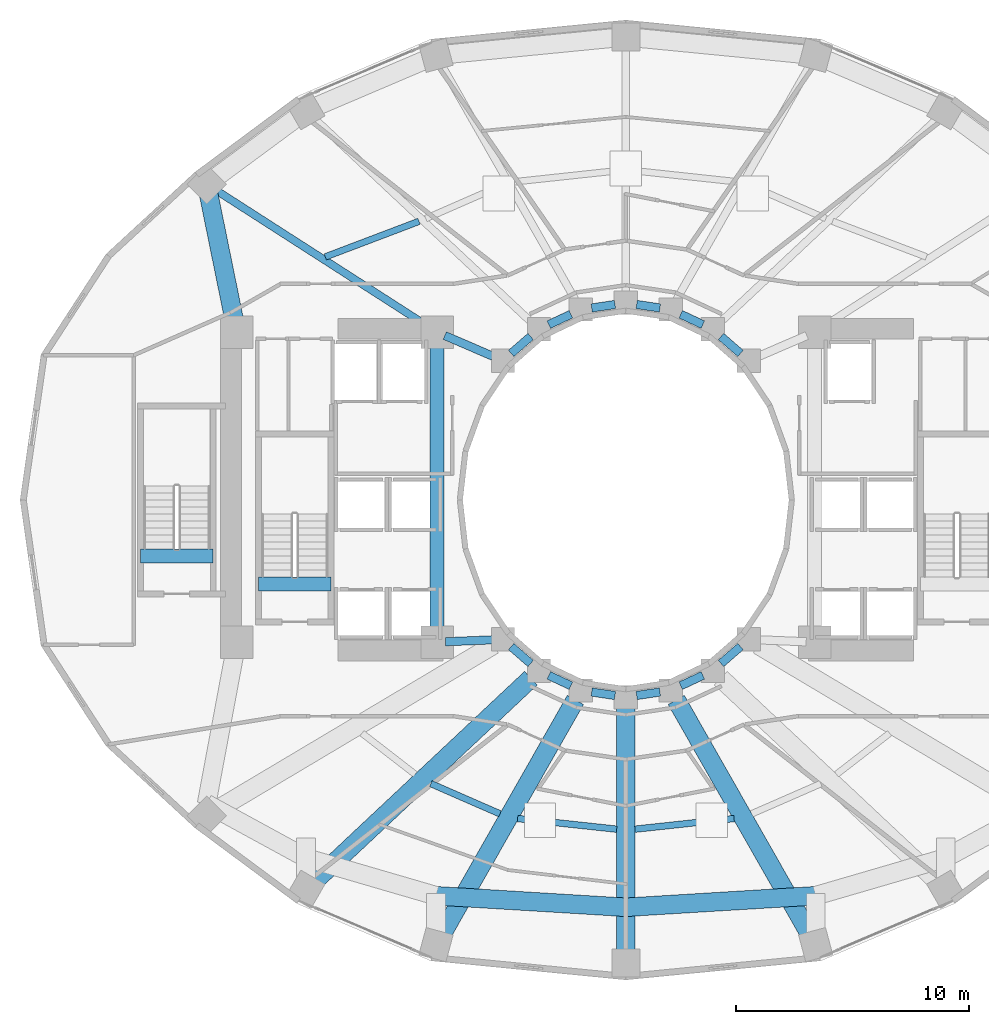
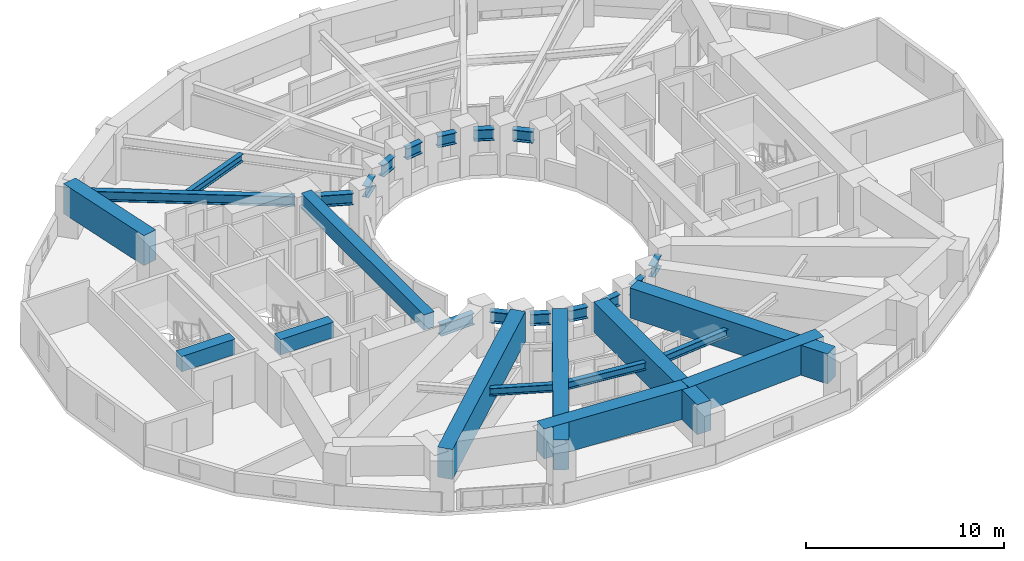
# One storey, part 3 of 16: 29 beams.
"""IFC4 building model written with IfcOpenShell, lengths in metres."""

from ifc_helpers import new_model, si_unit, direction, frame, origin, origin_2d, place, context, subcontext, project, spatial, rectangle, i_section, extrude, material, material_profile, profile_set, type_object, element, save


model = new_model("IFC4")

# Units and contexts
model_context = context("Model", 3, precision=1e-05, world=origin(), true_north=direction((0.0, 1.0)))
body_context = subcontext(model_context, "Body", "Model", "MODEL_VIEW")
ifc_project = project(units=[si_unit("LENGTHUNIT", "METRE"), si_unit("AREAUNIT", "SQUARE_METRE"), si_unit("VOLUMEUNIT", "CUBIC_METRE"), si_unit("PLANEANGLEUNIT", "RADIAN"), si_unit("MASSUNIT", "GRAM", prefix="KILO")], contexts=[model_context])

# Site, building, storey
site_placement = place(None, origin())
site = spatial("IfcSite", under=ifc_project, at=site_placement, CompositionType="ELEMENT")
building_placement = place(site_placement, origin())
building = spatial("IfcBuilding", under=site, at=building_placement, Name="Solvane Sanctuary Tower", CompositionType="ELEMENT")
storey_placement = place(building_placement, frame((0.0, 0.0, 33.800048828125)))
storey = spatial("IfcBuildingStorey", under=building, at=storey_placement, Name="L09", CompositionType="ELEMENT", Elevation=33.800048828125)

# Beams
ifc_material_1 = material(Name="Concrete C70/85", Category="concrete")
ifc_material_profile_1 = material_profile(ifc_material_1, rectangle(XDim=0.60009765625, YDim=0.949951171875, at=origin_2d()), Name="RC600X950")
ifc_profile_set_1 = profile_set([ifc_material_profile_1], Name="Concrete C70/85")
beam_type_1 = type_object("IfcBeamType", Name="Beam B-COUPLE RC600X950", PredefinedType="LINTEL", material=ifc_profile_set_1)
beam_1_placement = place(storey_placement, frame((23.89990234375, 17.35009765625, 2.625), z_axis=(0.0, 1.0, 0.0), x_axis=(-1.0, 0.0, 0.0)))
element("IfcBeam", 1, at=beam_1_placement, inside=storey, type_object=beam_type_1, Name="L09 West Core Coupling Lintel", PredefinedType="LINTEL", context=body_context, shape_type="SweptSolid", body=[
    extrude(rectangle(XDim=0.60009765625, YDim=0.949951171875, at=origin_2d()), origin(), (0.0, 0.0, 1.0), 12.39990234375),
])
for number, where, z_axis, x_axis, name in (
    (2, (16.22998046875, 19.399169921875, 2.625), (1.0, 0.0, 0.0), (0.0, 1.0, 0.0), "L09 ST-1 Stair Floor Landing Trimmer"),
    (3, (11.169921875, 20.59912109375, 2.625), (1.0, 0.0, 0.0), (0.0, 1.0, 0.0), "L09 ST-3 Stair Floor Landing Trimmer"),
):
    element("IfcBeam", number, at=place(storey_placement, frame(where, z_axis=z_axis, x_axis=x_axis)), inside=storey, type_object=beam_type_1, Name=name, PredefinedType="LINTEL", context=body_context, shape_type="SweptSolid", body=[
        extrude(rectangle(XDim=0.60009765625, YDim=0.949951171875, at=origin_2d()), origin(), (0.0, 0.0, 1.0), 3.1201171875),
    ])
ifc_material_2 = material(Name="Steel ASTM A992 Grade 50", Category="steel")
ifc_material_profile_2 = material_profile(ifc_material_2, i_section(OverallWidth=0.323974609375, OverallDepth=0.611083984375, WebThickness=0.0126953125, FlangeThickness=0.01904296875, FilletRadius=0.01611328125, at=origin_2d()), Name="W24X104")
ifc_profile_set_2 = profile_set([ifc_material_profile_2], Name="Steel ASTM A992 Grade 50")
beam_type_2 = type_object("IfcBeamType", Name="Beam B-RAD-Z1 W24X104", PredefinedType="BEAM", material=ifc_profile_set_2)
beam_2_placement = place(storey_placement, frame((23.59716796875, 30.39453125, 2.29248046875), z_axis=(-0.841383207998, 0.540438985733, 0.0), x_axis=(-0.540438985733, -0.841383207998, 0.0)))
element("IfcBeam", 4, at=beam_2_placement, inside=storey, type_object=beam_type_2, Name="L09 Radial Composite Floor Beam 07", PredefinedType="BEAM", context=body_context, shape_type="SweptSolid", body=[
    extrude(i_section(OverallWidth=0.323974609375, OverallDepth=0.611083984375, WebThickness=0.0126953125, FlangeThickness=0.01904296875, FilletRadius=0.01611328125, at=origin_2d()), origin(), (0.0, 0.0, 1.0), 11.116455078125),
])
ifc_material_profile_3 = material_profile(ifc_material_2, i_section(OverallWidth=0.35498046875, OverallDepth=0.695068359375, WebThickness=0.015380859375, FlangeThickness=0.02490234375, FilletRadius=0.01806640625, at=origin_2d()), Name="W27X146")
ifc_profile_set_3 = profile_set([ifc_material_profile_3], Name="Steel ASTM A992 Grade 50")
beam_type_3 = type_object("IfcBeamType", Name="Beam B-RING-IN1 W27X146", PredefinedType="BEAM", material=ifc_profile_set_3)
beam_3_placement = place(storey_placement, frame((24.230712890625, 30.0576171875, 2.25048828125), z_axis=(0.918277080365, -0.395938383687, 0.0), x_axis=(0.395938383687, 0.918277080365, 0.0)))
element("IfcBeam", 5, at=beam_3_placement, inside=storey, type_object=beam_type_3, Name="L09 Inner Light-Well Ring Beam CW3-IC07", PredefinedType="BEAM", context=body_context, shape_type="SweptSolid", body=[
    extrude(i_section(OverallWidth=0.35498046875, OverallDepth=0.695068359375, WebThickness=0.015380859375, FlangeThickness=0.02490234375, FilletRadius=0.01806640625, at=origin_2d()), origin(), (0.0, 0.0, 1.0), 2.246337890625),
])
beam_4_placement = place(storey_placement, frame((27.07958984375, 29.29052734375, 2.25048828125), z_axis=(0.754320881993, 0.65650590781, 0.0), x_axis=(-0.65650590781, 0.754320881993, 0.0)))
element("IfcBeam", 6, at=beam_4_placement, inside=storey, type_object=beam_type_3, Name="L09 Inner Light-Well Ring Beam IC07-IC06", PredefinedType="BEAM", context=body_context, shape_type="SweptSolid", body=[
    extrude(i_section(OverallWidth=0.35498046875, OverallDepth=0.695068359375, WebThickness=0.015380859375, FlangeThickness=0.02490234375, FilletRadius=0.01806640625, at=origin_2d()), origin(), (0.0, 0.0, 1.0), 1.108154296875),
])
beam_5_placement = place(storey_placement, frame((28.6953125, 30.5263671875, 2.25048828125), z_axis=(0.905108885866, 0.42517984986, 0.0), x_axis=(-0.42517984986, 0.905108885866, 0.0)))
element("IfcBeam", 7, at=beam_5_placement, inside=storey, type_object=beam_type_3, Name="L09 Inner Light-Well Ring Beam IC06-IC05", PredefinedType="BEAM", context=body_context, shape_type="SweptSolid", body=[
    extrude(i_section(OverallWidth=0.35498046875, OverallDepth=0.695068359375, WebThickness=0.015380859375, FlangeThickness=0.02490234375, FilletRadius=0.01806640625, at=origin_2d()), origin(), (0.0, 0.0, 1.0), 1.0478515625),
])
for number, where, z_axis, x_axis, name in (
    (8, (30.533935546875, 31.2412109375, 2.25048828125), (0.989047520133, 0.147597435338, 0.0), (-0.147597435338, 0.989047520133, 0.0), "L09 Inner Light-Well Ring Beam IC05-IC04"),
    (9, (32.46484375, 31.390625, 2.25048828125), (0.989047520133, -0.147597435338, 0.0), (0.147597435338, 0.989047520133, 0.0), "L09 Inner Light-Well Ring Beam IC04-IC03"),
):
    element("IfcBeam", number, at=place(storey_placement, frame(where, z_axis=z_axis, x_axis=x_axis)), inside=storey, type_object=beam_type_3, Name=name, PredefinedType="BEAM", context=body_context, shape_type="SweptSolid", body=[
        extrude(i_section(OverallWidth=0.35498046875, OverallDepth=0.695068359375, WebThickness=0.015380859375, FlangeThickness=0.02490234375, FilletRadius=0.01806640625, at=origin_2d()), origin(), (0.0, 0.0, 1.0), 1.01220703125),
    ])
beam_6_placement = place(storey_placement, frame((34.356201171875, 30.971923828125, 2.25048828125), z_axis=(0.905108885866, -0.42517984986, 0.0), x_axis=(0.42517984986, 0.905108885866, 0.0)))
element("IfcBeam", 10, at=beam_6_placement, inside=storey, type_object=beam_type_3, Name="L09 Inner Light-Well Ring Beam IC03-IC02", PredefinedType="BEAM", context=body_context, shape_type="SweptSolid", body=[
    extrude(i_section(OverallWidth=0.35498046875, OverallDepth=0.695068359375, WebThickness=0.015380859375, FlangeThickness=0.02490234375, FilletRadius=0.01806640625, at=origin_2d()), origin(), (0.0, 0.0, 1.0), 1.0478515625),
])
beam_7_placement = place(storey_placement, frame((36.08447265625, 30.01806640625, 2.25048828125), z_axis=(0.754320881993, -0.65650590781, 0.0), x_axis=(0.65650590781, 0.754320881993, 0.0)))
element("IfcBeam", 11, at=beam_7_placement, inside=storey, type_object=beam_type_3, Name="L09 Inner Light-Well Ring Beam IC02-IC01", PredefinedType="BEAM", context=body_context, shape_type="SweptSolid", body=[
    extrude(i_section(OverallWidth=0.35498046875, OverallDepth=0.695068359375, WebThickness=0.015380859375, FlangeThickness=0.02490234375, FilletRadius=0.01806640625, at=origin_2d()), origin(), (0.0, 0.0, 1.0), 1.108154296875),
])
beam_8_placement = place(storey_placement, frame((24.259765625, 16.9150390625, 2.25048828125), z_axis=(0.999130953379, 0.041681386726, 0.0), x_axis=(-0.041681386726, 0.999130953379, 0.0)))
element("IfcBeam", 12, at=beam_8_placement, inside=storey, type_object=beam_type_3, Name="L09 Inner Light-Well Ring Beam CW2-IC08", PredefinedType="BEAM", context=body_context, shape_type="SweptSolid", body=[
    extrude(i_section(OverallWidth=0.35498046875, OverallDepth=0.695068359375, WebThickness=0.015380859375, FlangeThickness=0.02490234375, FilletRadius=0.01806640625, at=origin_2d()), origin(), (0.0, 0.0, 1.0), 1.997314453125),
])
beam_9_placement = place(storey_placement, frame((27.07958984375, 16.70947265625, 2.25048828125), z_axis=(0.754320881993, -0.65650590781, 0.0), x_axis=(0.65650590781, 0.754320881993, 0.0)))
element("IfcBeam", 13, at=beam_9_placement, inside=storey, type_object=beam_type_3, Name="L09 Inner Light-Well Ring Beam IC08-IC09", PredefinedType="BEAM", context=body_context, shape_type="SweptSolid", body=[
    extrude(i_section(OverallWidth=0.35498046875, OverallDepth=0.695068359375, WebThickness=0.015380859375, FlangeThickness=0.02490234375, FilletRadius=0.01806640625, at=origin_2d()), origin(), (0.0, 0.0, 1.0), 1.108154296875),
])
beam_10_placement = place(storey_placement, frame((28.6953125, 15.4736328125, 2.25048828125), z_axis=(0.905108885866, -0.42517984986, 0.0), x_axis=(0.42517984986, 0.905108885866, 0.0)))
element("IfcBeam", 14, at=beam_10_placement, inside=storey, type_object=beam_type_3, Name="L09 Inner Light-Well Ring Beam IC09-IC10", PredefinedType="BEAM", context=body_context, shape_type="SweptSolid", body=[
    extrude(i_section(OverallWidth=0.35498046875, OverallDepth=0.695068359375, WebThickness=0.015380859375, FlangeThickness=0.02490234375, FilletRadius=0.01806640625, at=origin_2d()), origin(), (0.0, 0.0, 1.0), 1.0478515625),
])
for number, where, z_axis, x_axis, name in (
    (15, (30.533935546875, 14.7587890625, 2.25048828125), (0.989047520133, -0.147597435338, 0.0), (0.147597435338, 0.989047520133, 0.0), "L09 Inner Light-Well Ring Beam IC10-IC11"),
    (16, (32.46484375, 14.609375, 2.25048828125), (0.989047520133, 0.147597435338, 0.0), (-0.147597435338, 0.989047520133, 0.0), "L09 Inner Light-Well Ring Beam IC11-IC12"),
):
    element("IfcBeam", number, at=place(storey_placement, frame(where, z_axis=z_axis, x_axis=x_axis)), inside=storey, type_object=beam_type_3, Name=name, PredefinedType="BEAM", context=body_context, shape_type="SweptSolid", body=[
        extrude(i_section(OverallWidth=0.35498046875, OverallDepth=0.695068359375, WebThickness=0.015380859375, FlangeThickness=0.02490234375, FilletRadius=0.01806640625, at=origin_2d()), origin(), (0.0, 0.0, 1.0), 1.01220703125),
    ])
beam_11_placement = place(storey_placement, frame((34.356201171875, 15.028076171875, 2.25048828125), z_axis=(0.905108885866, 0.42517984986, 0.0), x_axis=(-0.42517984986, 0.905108885866, 0.0)))
element("IfcBeam", 17, at=beam_11_placement, inside=storey, type_object=beam_type_3, Name="L09 Inner Light-Well Ring Beam IC12-IC13", PredefinedType="BEAM", context=body_context, shape_type="SweptSolid", body=[
    extrude(i_section(OverallWidth=0.35498046875, OverallDepth=0.695068359375, WebThickness=0.015380859375, FlangeThickness=0.02490234375, FilletRadius=0.01806640625, at=origin_2d()), origin(), (0.0, 0.0, 1.0), 1.0478515625),
])
beam_12_placement = place(storey_placement, frame((36.08447265625, 15.98193359375, 2.25048828125), z_axis=(0.754320881993, 0.65650590781, 0.0), x_axis=(-0.65650590781, 0.754320881993, 0.0)))
element("IfcBeam", 18, at=beam_12_placement, inside=storey, type_object=beam_type_3, Name="L09 Inner Light-Well Ring Beam IC13-IC14", PredefinedType="BEAM", context=body_context, shape_type="SweptSolid", body=[
    extrude(i_section(OverallWidth=0.35498046875, OverallDepth=0.695068359375, WebThickness=0.015380859375, FlangeThickness=0.02490234375, FilletRadius=0.01806640625, at=origin_2d()), origin(), (0.0, 0.0, 1.0), 1.108154296875),
])
ifc_material_profile_4 = material_profile(ifc_material_2, i_section(OverallWidth=0.280029296875, OverallDepth=0.462890625, WebThickness=0.0107421875, FlangeThickness=0.017333984375, FilletRadius=0.013916015625, at=origin_2d()), Name="W18X76")
ifc_profile_set_4 = profile_set([ifc_material_profile_4], Name="Steel ASTM A992 Grade 50")
beam_type_4 = type_object("IfcBeamType", Name="Beam B-SEC-JOIST W18X76", PredefinedType="JOIST", material=ifc_profile_set_4)
beam_13_placement = place(storey_placement, frame((19.100830078125, 33.4326171875, 2.366455078125), z_axis=(0.934930049376, 0.354832076867, 0.0), x_axis=(-0.354832076867, 0.934930049376, 0.0)))
element("IfcBeam", 19, at=beam_13_placement, inside=storey, type_object=beam_type_4, Name="L09 Secondary Circumferential Joist 07-06", PredefinedType="JOIST", context=body_context, shape_type="SweptSolid", body=[
    extrude(i_section(OverallWidth=0.280029296875, OverallDepth=0.462890625, WebThickness=0.0107421875, FlangeThickness=0.017333984375, FilletRadius=0.013916015625, at=origin_2d()), origin(), (0.0, 0.0, 1.0), 4.3037109375),
])
beam_14_placement = place(storey_placement, frame((23.63330078125, 10.82666015625, 2.366455078125), z_axis=(0.916364894528, -0.400344077111, 0.0), x_axis=(0.400344077111, 0.916364894528, 0.0)))
element("IfcBeam", 20, at=beam_14_placement, inside=storey, type_object=beam_type_4, Name="L09 Secondary Circumferential Joist 09-10", PredefinedType="JOIST", context=body_context, shape_type="SweptSolid", body=[
    extrude(i_section(OverallWidth=0.280029296875, OverallDepth=0.462890625, WebThickness=0.0107421875, FlangeThickness=0.017333984375, FilletRadius=0.013916015625, at=origin_2d()), origin(), (0.0, 0.0, 1.0), 3.237548828125),
])
for number, where, z_axis, x_axis, name in (
    (21, (27.35498046875, 9.330078125, 2.366455078125), (0.994255907242, -0.107028925599, 0.0), (0.107028925599, 0.994255907242, 0.0), "L09 Secondary Circumferential Joist 10-11"),
    (22, (32.392578125, 8.872314453125, 2.366455078125), (0.994255907242, 0.107028925599, 0.0), (-0.107028925599, 0.994255907242, 0.0), "L09 Secondary Circumferential Joist 11-12"),
):
    element("IfcBeam", number, at=place(storey_placement, frame(where, z_axis=z_axis, x_axis=x_axis)), inside=storey, type_object=beam_type_4, Name=name, PredefinedType="JOIST", context=body_context, shape_type="SweptSolid", body=[
        extrude(i_section(OverallWidth=0.280029296875, OverallDepth=0.462890625, WebThickness=0.0107421875, FlangeThickness=0.017333984375, FilletRadius=0.013916015625, at=origin_2d()), origin(), (0.0, 0.0, 1.0), 4.277099609375),
    ])
ifc_material_profile_5 = material_profile(ifc_material_1, rectangle(XDim=0.800048828125, YDim=1.85009765625, at=origin_2d()), Name="RC800X1850")
ifc_profile_set_5 = profile_set([ifc_material_profile_5], Name="Concrete C70/85")
beam_type_5 = type_object("IfcBeamType", Name="Beam B-XFER-BLK RC800X1850", PredefinedType="BEAM", material=ifc_profile_set_5)
beam_15_placement = place(storey_placement, frame((27.92724609375, 15.351806640625, 2.175048828125), z_axis=(-0.729350984505, -0.684139708979, 0.0), x_axis=(0.684139708979, -0.729350984505, 0.0)))
element("IfcBeam", 23, at=beam_15_placement, inside=storey, type_object=beam_type_5, Name="L09 Block-Shift Radial Transfer Girder 09A", PredefinedType="BEAM", context=body_context, shape_type="SweptSolid", body=[
    extrude(rectangle(XDim=0.800048828125, YDim=1.85009765625, at=origin_2d()), origin(), (0.0, 0.0, 1.0), 12.717041015625),
])
beam_16_placement = place(storey_placement, frame((29.836669921875, 14.419921875, 2.175048828125), z_axis=(-0.494867837588, -0.868968252194, 0.0), x_axis=(0.868968252194, -0.494867837588, 0.0)))
element("IfcBeam", 24, at=beam_16_placement, inside=storey, type_object=beam_type_5, Name="L09 Block-Shift Radial Transfer Girder 10A", PredefinedType="BEAM", context=body_context, shape_type="SweptSolid", body=[
    extrude(rectangle(XDim=0.800048828125, YDim=1.85009765625, at=origin_2d()), origin(), (0.0, 0.0, 1.0), 11.5673828125),
])
beam_17_placement = place(storey_placement, frame((32.0, 14.070068359375, 2.175048828125), z_axis=(0.0, -1.0, 0.0), x_axis=(1.0, 0.0, 0.0)))
element("IfcBeam", 25, at=beam_17_placement, inside=storey, type_object=beam_type_5, Name="L09 Block-Shift Radial Transfer Girder 11A", PredefinedType="BEAM", context=body_context, shape_type="SweptSolid", body=[
    extrude(rectangle(XDim=0.800048828125, YDim=1.85009765625, at=origin_2d()), origin(), (0.0, 0.0, 1.0), 10.469970703125),
])
beam_18_placement = place(storey_placement, frame((34.163330078125, 14.419921875, 2.175048828125), z_axis=(0.494867837588, -0.868968252194, 0.0), x_axis=(0.868968252194, 0.494867837588, 0.0)))
element("IfcBeam", 26, at=beam_18_placement, inside=storey, type_object=beam_type_5, Name="L09 Block-Shift Radial Transfer Girder 12A", PredefinedType="BEAM", context=body_context, shape_type="SweptSolid", body=[
    extrude(rectangle(XDim=0.800048828125, YDim=1.85009765625, at=origin_2d()), origin(), (0.0, 0.0, 1.0), 11.5673828125),
])
beam_19_placement = place(storey_placement, frame((15.228271484375, 30.552734375, 2.175048828125), z_axis=(-0.199220253501, 0.979954739054, 0.0), x_axis=(-0.979954739054, -0.199220253501, 0.0)))
element("IfcBeam", 27, at=beam_19_placement, inside=storey, type_object=beam_type_5, Name="L09 Perimeter Step Transfer Ring CW4-NTC07", PredefinedType="BEAM", context=body_context, shape_type="SweptSolid", body=[
    extrude(rectangle(XDim=0.800048828125, YDim=1.85009765625, at=origin_2d()), origin(), (0.0, 0.0, 1.0), 6.123779296875),
])
for number, where, z_axis, x_axis, name in (
    (28, (23.85498046875, 6.014404296875, 2.175048828125), (0.998162963029, -0.06058629579, 0.0), (0.06058629579, 0.998162963029, 0.0), "L09 Perimeter Step Transfer Ring NTC10-NTC11"),
    (29, (32.0, 5.52001953125, 2.175048828125), (0.998162963029, 0.06058629579, 0.0), (-0.06058629579, 0.998162963029, 0.0), "L09 Perimeter Step Transfer Ring NTC11-NTC12"),
):
    element("IfcBeam", number, at=place(storey_placement, frame(where, z_axis=z_axis, x_axis=x_axis)), inside=storey, type_object=beam_type_5, Name=name, PredefinedType="BEAM", context=body_context, shape_type="SweptSolid", body=[
        extrude(rectangle(XDim=0.800048828125, YDim=1.85009765625, at=origin_2d()), origin(), (0.0, 0.0, 1.0), 8.159912109375),
    ])

save(model, "model.ifc")
